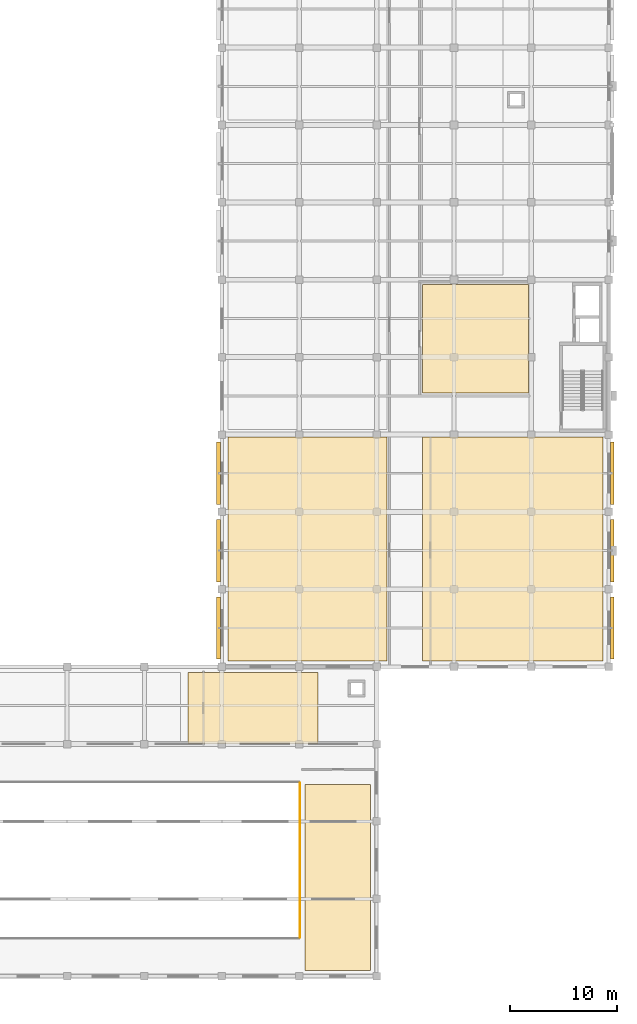
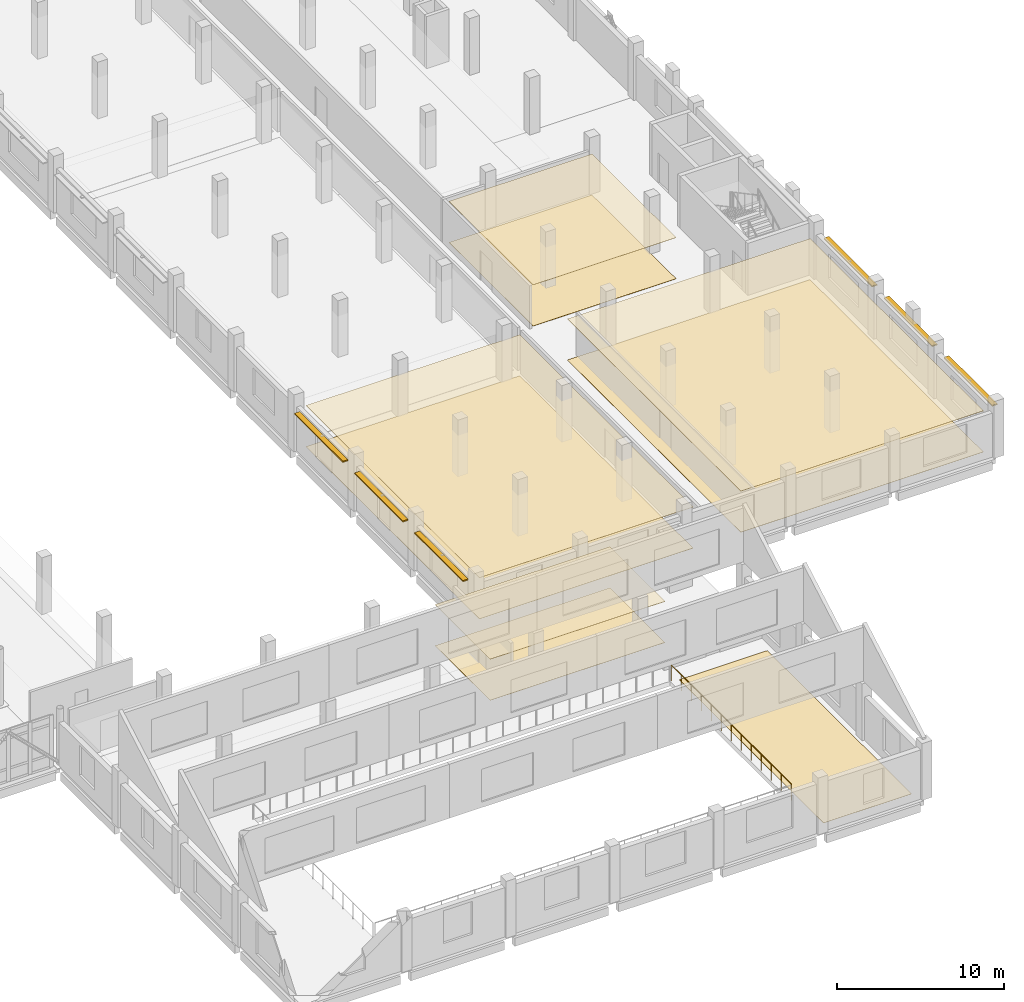
# One storey, part 60 of 62: 9 coverings, 6 shading devices, 1 railing.
"""IFC4 building model written with IfcOpenShell, lengths in metres."""

from ifc_helpers import new_model, si_unit, direction, frame, origin, origin_2d, place, context, subcontext, project, spatial, polyline, rectangle, circle, outline, extrude, material, layer, layer_set, type_object, element, save


model = new_model("IFC4")

# Units and contexts
model_context = context("Model", 3, precision=1e-05, world=origin(), true_north=direction((0.0, 1.0)))
body_context = subcontext(model_context, "Body", "Model", "MODEL_VIEW")
ifc_project = project(units=[si_unit("LENGTHUNIT", "METRE"), si_unit("AREAUNIT", "SQUARE_METRE"), si_unit("VOLUMEUNIT", "CUBIC_METRE"), si_unit("PLANEANGLEUNIT", "RADIAN"), si_unit("MASSUNIT", "GRAM", prefix="KILO")], contexts=[model_context])

# Site, building, storey
site_placement = place(None, origin())
site = spatial("IfcSite", under=ifc_project, at=site_placement, CompositionType="ELEMENT")
building_placement = place(site_placement, origin())
building = spatial("IfcBuilding", under=site, at=building_placement, Name="Valkovuoma Quantum and Materials Research Institute", CompositionType="ELEMENT")
storey_placement = place(building_placement, frame((0.0, 0.0, 8.9599609375)))
storey = spatial("IfcBuildingStorey", under=building, at=storey_placement, Name="L02", CompositionType="ELEMENT", Elevation=8.9599609375)

# Coverings
ifc_material_1 = material(Name="Cleanable acoustic mineral-fibre suspended ceiling", Category="masonry")
ifc_layer_1 = layer(ifc_material_1, 0.02490234375)
ifc_layer_set_1 = layer_set([ifc_layer_1], Name="Cleanable acoustic mineral-fibre suspended ceiling")
covering_type_1 = type_object("IfcCoveringType", Name="Cov-CEIL-01", PredefinedType="CEILING", material=ifc_layer_set_1)
covering_1_placement = place(storey_placement, frame((0.0, 0.0, 3.0)))
element("IfcCovering", 1, at=covering_1_placement, inside=storey, type_object=covering_type_1, Name="L02 acoustic ceiling 0062", PredefinedType="CEILING", context=body_context, shape_type="SweptSolid", body=[
    extrude(outline(polyline([(126.449951171875, 28.85009765625), (138.550048828125, 28.85009765625), (138.550048828125, 35.449951171875), (126.449951171875, 35.449951171875), (126.449951171875, 28.85009765625)])), origin(), (0.0, 0.0, 1.0), 0.025146484375),
])
covering_2_placement = place(storey_placement, frame((0.0, 0.0, 3.0)))
element("IfcCovering", 2, at=covering_2_placement, inside=storey, type_object=covering_type_1, Name="L02 acoustic ceiling 0074", PredefinedType="CEILING", context=body_context, shape_type="SweptSolid", body=[
    extrude(outline(polyline([(130.14990234375, 36.550048828125), (144.949951171875, 36.550048828125), (144.949951171875, 57.35009765625), (130.14990234375, 57.35009765625), (130.14990234375, 36.550048828125)])), origin(), (0.0, 0.0, 1.0), 0.025146484375),
])
covering_3_placement = place(storey_placement, frame((0.0, 0.0, 3.0)))
element("IfcCovering", 3, at=covering_3_placement, inside=storey, type_object=covering_type_1, Name="L02 acoustic ceiling 0077", PredefinedType="CEILING", context=body_context, shape_type="SweptSolid", body=[
    extrude(outline(polyline([(148.25, 36.550048828125), (165.050048828125, 36.550048828125), (165.050048828125, 57.35009765625), (148.25, 57.35009765625), (148.25, 36.550048828125)])), origin(), (0.0, 0.0, 1.0), 0.025146484375),
])
covering_4_placement = place(storey_placement, frame((0.0, 0.0, 3.0)))
element("IfcCovering", 4, at=covering_4_placement, inside=storey, type_object=covering_type_1, Name="L02 acoustic ceiling 0078", PredefinedType="CEILING", context=body_context, shape_type="SweptSolid", body=[
    extrude(outline(polyline([(148.25, 61.449951171875), (158.14990234375, 61.449951171875), (158.14990234375, 71.550048828125), (148.25, 71.550048828125), (148.25, 61.449951171875)])), origin(), (0.0, 0.0, 1.0), 0.025146484375),
])
ifc_material_2 = material(Name="Seamless dissipative laboratory resin flooring", Category="masonry")
ifc_layer_2 = layer(ifc_material_2, 0.014892578125)
ifc_layer_set_2 = layer_set([ifc_layer_2], Name="Seamless dissipative laboratory resin flooring")
covering_type_2 = type_object("IfcCoveringType", Name="Cov-FLOR-01", PredefinedType="FLOORING", material=ifc_layer_set_2)
covering_5_placement = place(storey_placement, origin())
element("IfcCovering", 5, at=covering_5_placement, inside=storey, type_object=covering_type_2, Name="L02 resin flooring 0062", PredefinedType="FLOORING", context=body_context, shape_type="SweptSolid", body=[
    extrude(outline(polyline([(126.449951171875, 28.85009765625), (138.550048828125, 28.85009765625), (138.550048828125, 35.449951171875), (126.449951171875, 35.449951171875), (126.449951171875, 28.85009765625)])), origin(), (0.0, 0.0, 1.0), 0.01513671875),
])
covering_6_placement = place(storey_placement, origin())
element("IfcCovering", 6, at=covering_6_placement, inside=storey, type_object=covering_type_2, Name="L02 resin flooring 0063", PredefinedType="FLOORING", context=body_context, shape_type="SweptSolid", body=[
    extrude(outline(polyline([(137.35009765625, 7.75), (143.449951171875, 7.75), (143.449951171875, 25.050048828125), (137.35009765625, 25.050048828125), (137.35009765625, 7.75)])), origin(), (0.0, 0.0, 1.0), 0.01513671875),
])
covering_7_placement = place(storey_placement, origin())
element("IfcCovering", 7, at=covering_7_placement, inside=storey, type_object=covering_type_2, Name="L02 resin flooring 0074", PredefinedType="FLOORING", context=body_context, shape_type="SweptSolid", body=[
    extrude(outline(polyline([(130.14990234375, 36.550048828125), (144.949951171875, 36.550048828125), (144.949951171875, 57.35009765625), (130.14990234375, 57.35009765625), (130.14990234375, 36.550048828125)])), origin(), (0.0, 0.0, 1.0), 0.01513671875),
])
covering_8_placement = place(storey_placement, origin())
element("IfcCovering", 8, at=covering_8_placement, inside=storey, type_object=covering_type_2, Name="L02 resin flooring 0077", PredefinedType="FLOORING", context=body_context, shape_type="SweptSolid", body=[
    extrude(outline(polyline([(148.25, 36.550048828125), (165.050048828125, 36.550048828125), (165.050048828125, 57.35009765625), (148.25, 57.35009765625), (148.25, 36.550048828125)])), origin(), (0.0, 0.0, 1.0), 0.01513671875),
])
covering_9_placement = place(storey_placement, origin())
element("IfcCovering", 9, at=covering_9_placement, inside=storey, type_object=covering_type_2, Name="L02 resin flooring 0078", PredefinedType="FLOORING", context=body_context, shape_type="SweptSolid", body=[
    extrude(outline(polyline([(148.25, 61.449951171875), (158.14990234375, 61.449951171875), (158.14990234375, 71.550048828125), (148.25, 71.550048828125), (148.25, 61.449951171875)])), origin(), (0.0, 0.0, 1.0), 0.01513671875),
])

# Railing
ifc_material_3 = material(Name="Hot-dip galvanised and powder-coated steel guardrail", Category="steel")
railing_type = type_object("IfcRailingType", Name="Rail-GRD-EXT", PredefinedType="BALUSTRADE", material=ifc_material_3)
railing_placement = place(storey_placement, frame((136.8798828125, 10.800048828125, 0.0)))
element("IfcRailing", 10, at=railing_placement, inside=storey, type_object=railing_type, Name="L02 lecture_void balustrade E", PredefinedType="BALUSTRADE", context=body_context, shape_type="SweptSolid", body=[
    extrude(circle(Radius=0.02392578125, at=origin_2d()), frame((0.0, 0.0, 1.17578125), z_axis=(0.0, 1.0, 0.0), x_axis=(-1.0, 0.0, 0.0)), (0.0, 0.0, 1.0), 14.39990234375),
    extrude(circle(Radius=0.02099609375, at=origin_2d()), origin(), (0.0, 0.0, 1.0), 1.15185546875),
    extrude(circle(Radius=0.02099609375, at=origin_2d()), frame((0.0, 1.199951171875, 0.0)), (0.0, 0.0, 1.0), 1.15185546875),
    extrude(circle(Radius=0.02099609375, at=origin_2d()), frame((0.0, 2.39990234375, 0.0)), (0.0, 0.0, 1.0), 1.15185546875),
    extrude(circle(Radius=0.02099609375, at=origin_2d()), frame((0.0, 3.60009765625, 0.0)), (0.0, 0.0, 1.0), 1.15185546875),
    extrude(circle(Radius=0.02099609375, at=origin_2d()), frame((0.0, 4.800048828125, 0.0)), (0.0, 0.0, 1.0), 1.15185546875),
    extrude(circle(Radius=0.02099609375, at=origin_2d()), frame((0.0, 6.0, 0.0)), (0.0, 0.0, 1.0), 1.15185546875),
    extrude(circle(Radius=0.02099609375, at=origin_2d()), frame((0.0, 7.199951171875, 0.0)), (0.0, 0.0, 1.0), 1.15185546875),
    extrude(circle(Radius=0.02099609375, at=origin_2d()), frame((0.0, 8.39990234375, 0.0)), (0.0, 0.0, 1.0), 1.15185546875),
    extrude(circle(Radius=0.02099609375, at=origin_2d()), frame((0.0, 9.599853515625, 0.0)), (0.0, 0.0, 1.0), 1.15185546875),
    extrude(circle(Radius=0.02099609375, at=origin_2d()), frame((0.0, 10.7998046875, 0.0)), (0.0, 0.0, 1.0), 1.15185546875),
    extrude(circle(Radius=0.02099609375, at=origin_2d()), frame((0.0, 12.0, 0.0)), (0.0, 0.0, 1.0), 1.15185546875),
    extrude(circle(Radius=0.02099609375, at=origin_2d()), frame((0.0, 13.199951171875, 0.0)), (0.0, 0.0, 1.0), 1.15185546875),
    extrude(circle(Radius=0.02099609375, at=origin_2d()), frame((0.0, 14.39990234375, 0.0)), (0.0, 0.0, 1.0), 1.15185546875),
])

# Shading devices
ifc_material_4 = material(Name="Powder-coated white perforated architectural aluminium panel", Category="aluminium")
ifc_layer_3 = layer(ifc_material_4, 0.050048828125)
ifc_layer_set_3 = layer_set([ifc_layer_3], Name="Powder-coated white perforated architectural aluminium panel")
shading_device_type_1 = type_object("IfcShadingDeviceType", Name="Screen-SCR-DENSE", PredefinedType="JALOUSIE", material=ifc_layer_set_3)
for number, where, z_axis, x_axis, name in (
    (11, (165.919921875, 54.0, 3.010009765625), (0.0, 0.0, 1.0), (1.0, 0.0, 0.0), "L02 wet-lab solar sunshade E-0028"),
    (12, (129.280029296875, 54.0, 3.010009765625), (0.0, 0.0, 1.0), (1.0, 0.0, 0.0), "L02 wet-lab solar sunshade W-0029"),
):
    element("IfcShadingDevice", number, at=place(storey_placement, frame(where, z_axis=z_axis, x_axis=x_axis)), inside=storey, type_object=shading_device_type_1, Name=name, PredefinedType="JALOUSIE", context=body_context, shape_type="SweptSolid", body=[
        extrude(rectangle(XDim=0.360107421875, YDim=5.800048828125, at=origin_2d()), origin(), (0.0, 0.0, 1.0), 0.080078125),
    ])
ifc_material_5 = material(Name="Powder-coated white perforated architectural aluminium panel", Category="aluminium")
ifc_layer_4 = layer(ifc_material_5, 0.050048828125)
ifc_layer_set_4 = layer_set([ifc_layer_4], Name="Powder-coated white perforated architectural aluminium panel")
shading_device_type_2 = type_object("IfcShadingDeviceType", Name="Screen-SCR-MID", PredefinedType="JALOUSIE", material=ifc_layer_set_4)
for number, where, z_axis, x_axis, name in (
    (13, (165.919921875, 39.60009765625, 3.010009765625), (0.0, 0.0, 1.0), (1.0, 0.0, 0.0), "L02 wet-lab solar sunshade E-0024"),
    (14, (129.280029296875, 39.60009765625, 3.010009765625), (0.0, 0.0, 1.0), (1.0, 0.0, 0.0), "L02 wet-lab solar sunshade W-0025"),
):
    element("IfcShadingDevice", number, at=place(storey_placement, frame(where, z_axis=z_axis, x_axis=x_axis)), inside=storey, type_object=shading_device_type_2, Name=name, PredefinedType="JALOUSIE", context=body_context, shape_type="SweptSolid", body=[
        extrude(rectangle(XDim=0.360107421875, YDim=5.800048828125, at=origin_2d()), origin(), (0.0, 0.0, 1.0), 0.080078125),
    ])
ifc_material_6 = material(Name="Powder-coated white perforated architectural aluminium panel", Category="aluminium")
ifc_layer_5 = layer(ifc_material_6, 0.050048828125)
ifc_layer_set_5 = layer_set([ifc_layer_5], Name="Powder-coated white perforated architectural aluminium panel")
shading_device_type_3 = type_object("IfcShadingDeviceType", Name="Screen-SCR-SPARSE", PredefinedType="JALOUSIE", material=ifc_layer_set_5)
for number, where, z_axis, x_axis, name in (
    (15, (165.919921875, 46.800048828125, 3.010009765625), (0.0, 0.0, 1.0), (1.0, 0.0, 0.0), "L02 wet-lab solar sunshade E-0026"),
    (16, (129.280029296875, 46.800048828125, 3.010009765625), (0.0, 0.0, 1.0), (1.0, 0.0, 0.0), "L02 wet-lab solar sunshade W-0027"),
):
    element("IfcShadingDevice", number, at=place(storey_placement, frame(where, z_axis=z_axis, x_axis=x_axis)), inside=storey, type_object=shading_device_type_3, Name=name, PredefinedType="JALOUSIE", context=body_context, shape_type="SweptSolid", body=[
        extrude(rectangle(XDim=0.360107421875, YDim=5.800048828125, at=origin_2d()), origin(), (0.0, 0.0, 1.0), 0.080078125),
    ])

save(model, "model.ifc")
